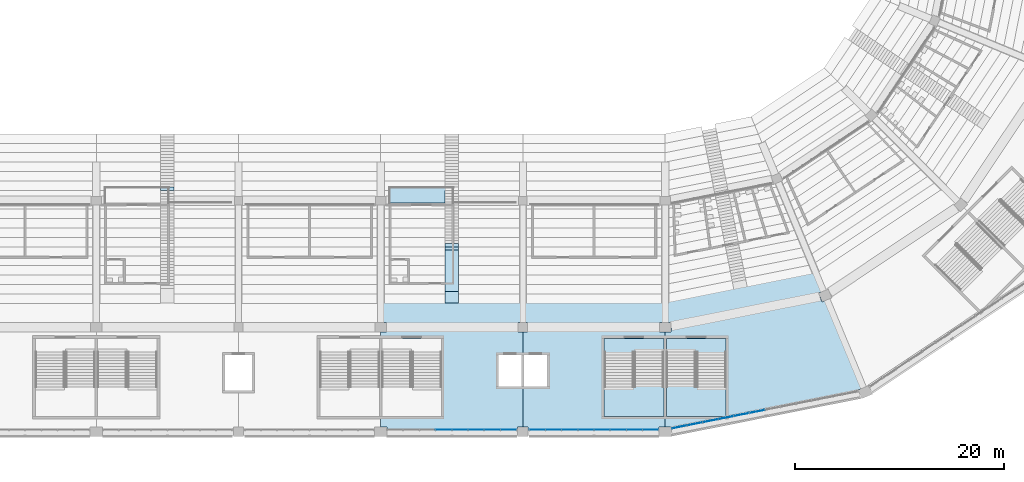
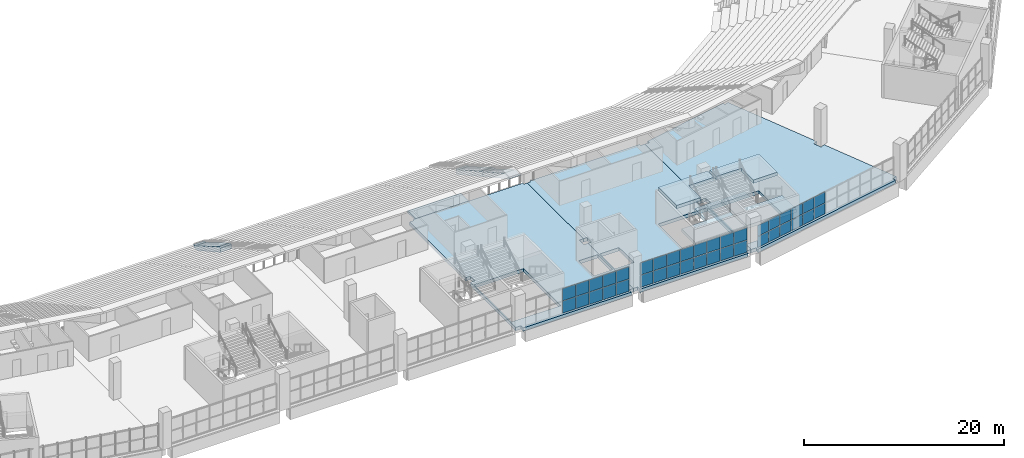
# One storey, part 66 of 249: 38 plates, 11 slabs, 5 elements without a shape of their own.
"""IFC4 building model written with IfcOpenShell, lengths in metres."""

import ifcopenshell
import ifcopenshell.guid

model = None  # the IFC model being written
_history = None  # IfcOwnerHistory: only IFC2X3 demands one
_inside = {}  # id of a spatial element -> (the spatial element, [elements in it])
_under = {}  # id of a project, library or spatial element -> (it, [spatial elements below it])
_declared = {}  # id of a project -> (the project, [libraries it declares])
_typed = {}  # id of a type object -> (the type object, [elements of that type])
_made_of = {}  # id of a material, layer set ... -> (it, [elements and type objects made of it])


def new_model(schema):
    """Start an empty IFC model of exactly this schema.

    Asked for "IFC4X3", IfcOpenShell would pick the latest addendum, in which some entities
    have other attributes; the version numbers below select the first issue.
    IFC2X3 requires an IfcOwnerHistory on every rooted entity: one is made here for all.
    """
    global model, _history
    if schema == "IFC4X3":
        model = ifcopenshell.file(schema_version=(4, 3, 0, 0))
    else:
        model = ifcopenshell.file(schema=schema)
    _inside.clear()
    _under.clear()
    _declared.clear()
    _typed.clear()
    _made_of.clear()
    _history = None
    if model.schema == "IFC2X3":
        org = make("IfcOrganization", Name="unknown")
        user = make(
            "IfcPersonAndOrganization",
            ThePerson=make("IfcPerson", FamilyName="unknown"),
            TheOrganization=org,
        )
        app = make(
            "IfcApplication",
            ApplicationDeveloper=org,
            Version="unknown",
            ApplicationFullName="unknown",
            ApplicationIdentifier="unknown",
        )
        _history = make(
            "IfcOwnerHistory",
            OwningUser=user,
            OwningApplication=app,
            ChangeAction="ADDED",
            CreationDate=0,
        )
    return model


def make(cls, **values):
    """One entity of the class cls with the attributes given. An attribute that is None is left unset."""
    return model.create_entity(
        cls, **{name: value for name, value in values.items() if value is not None}
    )


def rooted(cls, **values):
    """An entity with a GlobalId (a new one), such as an element, a storey or a relation."""
    return make(cls, GlobalId=ifcopenshell.guid.new(), OwnerHistory=_history, **values)


def si_unit(unit_type, name, prefix=None):
    """IfcSIUnit, for example si_unit("LENGTHUNIT", "METRE", prefix="MILLI")."""
    return make("IfcSIUnit", UnitType=unit_type, Prefix=prefix, Name=name)


def assignment(units):
    """IfcUnitAssignment: the units of a project."""
    return None if units is None else make("IfcUnitAssignment", Units=units)


def point(xyz):
    """IfcCartesianPoint."""
    return None if xyz is None else make("IfcCartesianPoint", Coordinates=xyz)


def direction(xyz):
    """IfcDirection."""
    return None if xyz is None else make("IfcDirection", DirectionRatios=xyz)


def frame(location, z_axis=None, x_axis=None):
    """IfcAxis2Placement3D, a coordinate frame: its origin and axes. An axis left out is left unset."""
    return make(
        "IfcAxis2Placement3D",
        Location=point(location),
        Axis=direction(z_axis),
        RefDirection=direction(x_axis),
    )


def frame_2d(location, x_axis=None):
    """IfcAxis2Placement2D, a coordinate frame in the plane: its origin and x axis."""
    return make(
        "IfcAxis2Placement2D", Location=point(location), RefDirection=direction(x_axis)
    )


def origin():
    """The frame at (0, 0, 0) with its axes left unset."""
    return frame((0.0, 0.0, 0.0))


def origin_2d():
    """The frame at (0, 0) in the plane with its x axis left unset."""
    return frame_2d((0.0, 0.0))


def place(relative_to, where):
    """IfcLocalPlacement: puts the frame where relative to a parent placement (None: the world)."""
    return make(
        "IfcLocalPlacement", PlacementRelTo=relative_to, RelativePlacement=where
    )


def context(
    kind, dimensions, precision=None, world=None, true_north=None, identifier=None
):
    """IfcGeometricRepresentationContext, for example the 3D "Model" context."""
    return make(
        "IfcGeometricRepresentationContext",
        ContextIdentifier=identifier,
        ContextType=kind,
        CoordinateSpaceDimension=dimensions,
        Precision=precision,
        WorldCoordinateSystem=world,
        TrueNorth=true_north,
    )


def subcontext(parent, identifier, kind, view, scale=None):
    """IfcGeometricRepresentationSubContext, for example "Body" below "Model"."""
    return make(
        "IfcGeometricRepresentationSubContext",
        ContextIdentifier=identifier,
        ContextType=kind,
        ParentContext=parent,
        TargetScale=scale,
        TargetView=view,
    )


def project(units=None, contexts=None):
    """IfcProject with its units and contexts."""
    return rooted(
        "IfcProject",
        Name="project",
        RepresentationContexts=contexts,
        UnitsInContext=assignment(units),
    )


def spatial(cls, under=None, at=None, **own):
    """A site, building, storey or space (cls), placed at a placement, below another one or the project."""
    s = rooted(cls, ObjectPlacement=at, **own)
    if under is not None:
        _under.setdefault(under.id(), (under, []))[1].append(s)
    return s


def polyline(points):
    """IfcPolyline through the points."""
    return make("IfcPolyline", Points=[point(p) for p in points])


def profile(cls, at=None, kind="AREA", **sizes):
    """A parametric profile (cls). Its sizes go by their IFC names, for example OverallWidth=200.0."""
    return make(cls, ProfileType=kind, Position=at, **sizes)


def rectangle(**sizes):
    """IfcRectangleProfileDef."""
    return profile("IfcRectangleProfileDef", **sizes)


def outline(outer, holes=None, kind="AREA"):
    """IfcArbitraryClosedProfileDef: a profile drawn as a closed curve; with holes, ...WithVoids."""
    if holes is None:
        return make("IfcArbitraryClosedProfileDef", ProfileType=kind, OuterCurve=outer)
    return make(
        "IfcArbitraryProfileDefWithVoids",
        ProfileType=kind,
        OuterCurve=outer,
        InnerCurves=holes,
    )


def extrude(swept, where, along, depth):
    """IfcExtrudedAreaSolid: the profile swept, set in the frame where, extruded along a direction by depth."""
    return make(
        "IfcExtrudedAreaSolid",
        SweptArea=swept,
        Position=where,
        ExtrudedDirection=direction(along),
        Depth=depth,
    )


def shape(context_of_items, identifier, shape_type, items):
    """IfcShapeRepresentation: the items that make up one representation, for example the "Body"."""
    return make(
        "IfcShapeRepresentation",
        ContextOfItems=context_of_items,
        RepresentationIdentifier=identifier,
        RepresentationType=shape_type,
        Items=items,
    )


def material(Name=None, Category=None):
    """IfcMaterial."""
    return make("IfcMaterial", Name=Name, Category=Category)


def layer(
    of_material, thickness, ventilated=None, Name=None, Category=None, Priority=None
):
    """IfcMaterialLayer: one layer of a wall or slab, of a material (None: an air gap)."""
    return make(
        "IfcMaterialLayer",
        Material=of_material,
        LayerThickness=thickness,
        IsVentilated=ventilated,
        Name=Name,
        Category=Category,
        Priority=Priority,
    )


def layer_set(layers, Name=None):
    """IfcMaterialLayerSet."""
    return make("IfcMaterialLayerSet", MaterialLayers=layers, LayerSetName=Name)


def made_of(thing, what):
    """Note that an element or type object is made of a material, layer set ...; save() writes the relation."""
    if what is not None:
        _made_of.setdefault(what.id(), (what, []))[1].append(thing)
    return thing


def type_object(cls, material=None, **own):
    """A type object (cls), such as IfcWallType, which elements share."""
    return made_of(rooted(cls, **own), material)


def element(
    cls,
    number,
    at=None,
    inside=None,
    cuts=None,
    type_object=None,
    material=None,
    context=None,
    identifier="Body",
    shape_type=None,
    held_by="IfcProductDefinitionShape",
    body=None,
    shapes=None,
    **own,
):
    """One element of the class cls, such as IfcWall. Its Tag is "e" and its number.

    at: its placement. inside: the storey or other place that contains it. cuts: it is an
    opening in that element (IfcRelVoidsElement). A single representation is given by context,
    identifier, shape_type and body (its items); several are given by shapes. held_by: the class
    of the entity that holds the representations. save() writes the other relations.
    """
    e = rooted(cls, Tag="e%d" % number, ObjectPlacement=at, **own)
    if body is not None:
        shapes = [shape(context, identifier, shape_type, body)]
    if shapes is not None:
        e.Representation = make(held_by, Representations=shapes)
    if inside is not None:
        _inside.setdefault(inside.id(), (inside, []))[1].append(e)
    if cuts is not None:
        rooted(
            "IfcRelVoidsElement", RelatingBuildingElement=cuts, RelatedOpeningElement=e
        )
    if type_object is not None:
        _typed.setdefault(type_object.id(), (type_object, []))[1].append(e)
    return made_of(e, material)


def aggregate(whole, parts):
    """IfcRelAggregates: a whole, such as a stair, and the parts it consists of."""
    return rooted("IfcRelAggregates", RelatingObject=whole, RelatedObjects=parts)


def save(model, path):
    """Write the relations noted so far, then the file.

    IfcRelAggregates (storeys below a building ...), IfcRelContainedInSpatialStructure (elements
    in a storey), IfcRelDefinesByType, IfcRelAssociatesMaterial and IfcRelDeclares: one each for
    every whole, place, type object, material and project.
    """
    for whole, parts in _under.values():
        aggregate(whole, parts)
    for where, things in _inside.values():
        rooted(
            "IfcRelContainedInSpatialStructure",
            RelatedElements=things,
            RelatingStructure=where,
        )
    for kind, things in _typed.values():
        rooted("IfcRelDefinesByType", RelatedObjects=things, RelatingType=kind)
    for what, things in _made_of.values():
        rooted("IfcRelAssociatesMaterial", RelatedObjects=things, RelatingMaterial=what)
    for by, libraries in _declared.values():
        rooted("IfcRelDeclares", RelatingContext=by, RelatedDefinitions=libraries)
    model.write(path)


model = new_model("IFC4")

# Units and contexts
model_context = context("Model", 3, precision=1e-05, world=origin(), true_north=direction((0.0, 1.0)))
body_context = subcontext(model_context, "Body", "Model", "MODEL_VIEW")
ifc_project = project(units=[si_unit("LENGTHUNIT", "METRE"), si_unit("AREAUNIT", "SQUARE_METRE"), si_unit("VOLUMEUNIT", "CUBIC_METRE"), si_unit("PLANEANGLEUNIT", "RADIAN"), si_unit("MASSUNIT", "GRAM", prefix="KILO")], contexts=[model_context])

# Site, building, storey
site_placement = place(None, origin())
site = spatial("IfcSite", under=ifc_project, at=site_placement, CompositionType="ELEMENT")
building_placement = place(site_placement, origin())
building = spatial("IfcBuilding", under=site, at=building_placement, Name="Ogive Plaza Stadium", CompositionType="ELEMENT")
storey_placement = place(building_placement, frame((0.0, 0.0, 13.5)))
storey = spatial("IfcBuildingStorey", under=building, at=storey_placement, Name="L03", CompositionType="ELEMENT", Elevation=13.5)

# Slabs
ifc_material_1 = material(Name="Concrete C40/50", Category="concrete")
ifc_layer_1 = layer(ifc_material_1, 0.75927734375)
ifc_layer_set_1 = layer_set([ifc_layer_1], Name="Concrete C40/50")
ifc_layer_2 = layer(ifc_material_1, 0.449951171875)
ifc_layer_set_2 = layer_set([ifc_layer_2], Name="Concrete C40/50")
slab_type_1 = type_object("IfcSlabType", Name="Aisle stair slab 1300", PredefinedType="USERDEFINED", material=ifc_layer_set_2)
slab_1_placement = place(storey_placement, frame((13.60009765625, -79.39990234375, -13.5), z_axis=(0.0, 0.0, 1.0), x_axis=(0.0, -1.0, 0.0)))
element("IfcSlab", 1, at=slab_1_placement, inside=storey, type_object=slab_type_1, material=ifc_layer_set_1, Name="Aisle stair SA13U slab 2", ObjectType="AISLE STAIR SLAB", PredefinedType="USERDEFINED", context=body_context, shape_type="SweptSolid", body=[
    extrude(outline(polyline([(0.0, 17.0), (0.2958984375, 17.0), (5.10009765625, 19.825927734375), (5.39990234375, 19.825927734375), (5.39990234375, 19.300048828125), (5.25, 19.216796875), (5.10009765625, 19.13330078125), (4.949951171875, 19.050048828125), (4.800048828125, 18.966796875), (4.64990234375, 18.88330078125), (4.5, 18.800048828125), (4.35009765625, 18.716796875), (4.199951171875, 18.63330078125), (4.050048828125, 18.550048828125), (3.89990234375, 18.466796875), (3.75, 18.38330078125), (3.60009765625, 18.300048828125), (3.449951171875, 18.216796875), (3.300048828125, 18.13330078125), (3.14990234375, 18.050048828125), (3.0, 17.966796875), (2.85009765625, 17.88330078125), (2.699951171875, 17.800048828125), (2.550048828125, 17.716796875), (2.39990234375, 17.63330078125), (2.25, 17.550048828125), (2.10009765625, 17.466796875), (1.949951171875, 17.38330078125), (1.800048828125, 17.300048828125), (1.64990234375, 17.216796875), (1.5, 17.13330078125), (1.35009765625, 17.050048828125), (1.199951171875, 16.966796875), (1.050048828125, 16.88330078125), (0.89990234375, 16.800048828125), (0.75, 16.716796875), (0.60009765625, 16.63330078125), (0.449951171875, 16.550048828125), (0.300048828125, 16.466796875), (0.14990234375, 16.38330078125), (0.0, 16.300048828125), (0.0, 17.0)])), frame((0.0, 0.64990234375, 0.0), z_axis=(0.0, -1.0, 0.0), x_axis=(1.0, 0.0, 0.0)), (0.0, 0.0, 1.0), 1.300048828125),
])
ifc_layer_3 = layer(ifc_material_1, 1.08056640625)
ifc_layer_set_3 = layer_set([ifc_layer_3], Name="Concrete C40/50")
slab_2_placement = place(storey_placement, frame((13.60009765625, -84.800048828125, -13.5), z_axis=(0.0, 0.0, 1.0), x_axis=(0.0, -1.0, 0.0)))
element("IfcSlab", 2, at=slab_2_placement, inside=storey, type_object=slab_type_1, material=ifc_layer_set_3, Name="Aisle stair SA13U slab 3", ObjectType="AISLE STAIR SLAB", PredefinedType="USERDEFINED", context=body_context, shape_type="SweptSolid", body=[
    extrude(outline(polyline([(0.0, 20.0), (0.2958984375, 20.0), (4.25, 22.325927734375), (5.35009765625, 22.325927734375), (5.35009765625, 22.272216796875), (5.25, 22.216796875), (5.10009765625, 22.13330078125), (4.949951171875, 22.050048828125), (4.800048828125, 21.966796875), (4.64990234375, 21.88330078125), (4.5, 21.800048828125), (4.35009765625, 21.716796875), (4.199951171875, 21.63330078125), (4.050048828125, 21.550048828125), (3.89990234375, 21.466796875), (3.75, 21.38330078125), (3.60009765625, 21.300048828125), (3.449951171875, 21.216796875), (3.300048828125, 21.13330078125), (3.14990234375, 21.050048828125), (3.0, 20.966796875), (2.85009765625, 20.88330078125), (2.699951171875, 20.800048828125), (2.550048828125, 20.716796875), (2.39990234375, 20.63330078125), (2.25, 20.550048828125), (2.10009765625, 20.466796875), (1.949951171875, 20.38330078125), (1.800048828125, 20.300048828125), (1.64990234375, 20.216796875), (1.5, 20.13330078125), (1.35009765625, 20.050048828125), (1.199951171875, 19.966796875), (1.050048828125, 19.88330078125), (0.89990234375, 19.800048828125), (0.75, 19.716796875), (0.60009765625, 19.63330078125), (0.449951171875, 19.550048828125), (0.300048828125, 19.466796875), (0.14990234375, 19.38330078125), (0.0, 19.300048828125), (0.0, 20.0)])), frame((0.0, 0.64990234375, 0.0), z_axis=(0.0, -1.0, 0.0), x_axis=(1.0, 0.0, 0.0)), (0.0, 0.0, 1.0), 1.300048828125),
])
ifc_layer_4 = layer(ifc_material_1, 0.73486328125)
ifc_layer_set_4 = layer_set([ifc_layer_4], Name="Concrete C40/50")
slab_3_placement = place(storey_placement, frame((-13.60009765625, -74.0, -13.5), z_axis=(0.0, 0.0, 1.0), x_axis=(0.0, -1.0, 0.0)))
element("IfcSlab", 3, at=slab_3_placement, inside=storey, type_object=slab_type_1, material=ifc_layer_set_4, Name="Aisle stair SA15U slab 1", ObjectType="AISLE STAIR SLAB", PredefinedType="USERDEFINED", context=body_context, shape_type="SweptSolid", body=[
    extrude(outline(polyline([(0.0, 14.0), (0.2958984375, 14.0), (5.10009765625, 16.825927734375), (5.39990234375, 16.825927734375), (5.39990234375, 16.300048828125), (5.359375, 16.27734375), (5.209228515625, 16.194091796875), (5.059326171875, 16.110595703125), (4.9091796875, 16.02734375), (4.75927734375, 15.944091796875), (4.609375, 15.860595703125), (4.459228515625, 15.77734375), (4.309326171875, 15.694091796875), (4.1591796875, 15.610595703125), (4.00927734375, 15.52734375), (3.859375, 15.444091796875), (3.709228515625, 15.360595703125), (3.559326171875, 15.27734375), (3.4091796875, 15.194091796875), (3.25927734375, 15.110595703125), (3.109375, 15.02734375), (2.959228515625, 14.944091796875), (2.809326171875, 14.860595703125), (2.6591796875, 14.77734375), (2.50927734375, 14.694091796875), (2.359375, 14.610595703125), (2.209228515625, 14.52734375), (2.059326171875, 14.444091796875), (1.9091796875, 14.360595703125), (1.75927734375, 14.27734375), (1.609375, 14.194091796875), (1.459228515625, 14.110595703125), (1.309326171875, 14.02734375), (1.1591796875, 13.944091796875), (1.00927734375, 13.860595703125), (0.859375, 13.77734375), (0.709228515625, 13.75), (0.559326171875, 13.75), (0.4091796875, 13.75), (0.25927734375, 13.75), (0.109375, 13.75), (0.0, 14.0)])), frame((0.0, 0.64990234375, 0.0), z_axis=(0.0, -1.0, 0.0), x_axis=(1.0, 0.0, 0.0)), (0.0, 0.0, 1.0), 1.300048828125),
])
ifc_material_2 = material(Name="Concrete C40/50", Category="concrete")
ifc_layer_5 = layer(ifc_material_2, 0.25)
ifc_layer_set_5 = layer_set([ifc_layer_5], Name="Concrete C40/50")
slab_type_2 = type_object("IfcSlabType", Name="Balcony slab 250", PredefinedType="FLOOR", material=ifc_layer_set_5)
slab_4_placement = place(storey_placement, frame((0.0, 0.0, -0.25)))
element("IfcSlab", 4, at=slab_4_placement, inside=storey, type_object=slab_type_2, Name="Suite terrace slab B13", PredefinedType="FLOOR", context=body_context, shape_type="SweptSolid", body=[
    extrude(outline(polyline([(7.625, -79.0), (7.625, -80.60009765625), (13.77490234375, -80.60009765625), (13.77490234375, -79.0), (7.625, -79.0)])), origin(), (0.0, 0.0, 1.0), 0.25),
])

# Curtain wall, plates
ifc_material_3 = material(Name="Bronze-anodised aluminium with laminated glass", Category="aluminium")
curtain_wall_type = type_object("IfcCurtainWallType", Name="Lancet curtain wall", PredefinedType="NOTDEFINED", material=ifc_material_3)
curtain_wall_1_placement = place(storey_placement, origin())
curtain_wall_1 = element("IfcCurtainWall", 5, at=curtain_wall_1_placement, inside=storey, type_object=curtain_wall_type, Name="CURTAIN WALL B11 L03", PredefinedType="NOTDEFINED")
ifc_material_4 = material(Name="Laminated glass", Category="glass")
ifc_layer_6 = layer(ifc_material_4, 0.028076171875)
ifc_layer_set_6 = layer_set([ifc_layer_6], Name="Laminated glass panel 28")
plate_type = type_object("IfcPlateType", Name="Laminated glass panel 28", PredefinedType="CURTAIN_PANEL", material=ifc_layer_set_6)
plate_1_placement = place(storey_placement, frame((42.78564453125, -100.548583984375, 0.0498046875), z_axis=(0.0, 0.0, 1.0), x_axis=(-0.980785280403, -0.195090322016, 0.0)))
plate_1 = element("IfcPlate", 6, at=plate_1_placement, type_object=plate_type, Name="CW-B11-L03 panel 7.1", PredefinedType="CURTAIN_PANEL", context=body_context, shape_type="SweptSolid", body=[
    extrude(rectangle(XDim=1.4638671875, YDim=0.028076171875, at=origin_2d()), origin(), (0.0, 0.0, 1.0), 1.320068359375),
])
plate_2_placement = place(storey_placement, frame((42.78564453125, -100.548583984375, 1.419921875), z_axis=(0.0, 0.0, 1.0), x_axis=(-0.980785280403, -0.195090322016, 0.0)))
plate_2 = element("IfcPlate", 7, at=plate_2_placement, type_object=plate_type, Name="CW-B11-L03 panel 7.2", PredefinedType="CURTAIN_PANEL", context=body_context, shape_type="SweptSolid", body=[
    extrude(rectangle(XDim=1.4638671875, YDim=0.028076171875, at=origin_2d()), origin(), (0.0, 0.0, 1.0), 1.320068359375),
])
plate_3_placement = place(storey_placement, frame((41.301025390625, -100.84375, 0.0498046875), z_axis=(0.0, 0.0, 1.0), x_axis=(-0.980785280403, -0.195090322016, 0.0)))
plate_3 = element("IfcPlate", 8, at=plate_3_placement, type_object=plate_type, Name="CW-B11-L03 panel 8.1", PredefinedType="CURTAIN_PANEL", context=body_context, shape_type="SweptSolid", body=[
    extrude(rectangle(XDim=1.4638671875, YDim=0.028076171875, at=origin_2d()), origin(), (0.0, 0.0, 1.0), 1.320068359375),
])
plate_4_placement = place(storey_placement, frame((41.301025390625, -100.84375, 1.419921875), z_axis=(0.0, 0.0, 1.0), x_axis=(-0.980785280403, -0.195090322016, 0.0)))
plate_4 = element("IfcPlate", 9, at=plate_4_placement, type_object=plate_type, Name="CW-B11-L03 panel 8.2", PredefinedType="CURTAIN_PANEL", context=body_context, shape_type="SweptSolid", body=[
    extrude(rectangle(XDim=1.4638671875, YDim=0.028076171875, at=origin_2d()), origin(), (0.0, 0.0, 1.0), 1.320068359375),
])
plate_5_placement = place(storey_placement, frame((39.816162109375, -101.13916015625, 0.0498046875), z_axis=(0.0, 0.0, 1.0), x_axis=(-0.980785280403, -0.195090322016, 0.0)))
plate_5 = element("IfcPlate", 10, at=plate_5_placement, type_object=plate_type, Name="CW-B11-L03 panel 9.1", PredefinedType="CURTAIN_PANEL", context=body_context, shape_type="SweptSolid", body=[
    extrude(rectangle(XDim=1.4638671875, YDim=0.028076171875, at=origin_2d()), origin(), (0.0, 0.0, 1.0), 1.320068359375),
])
plate_6_placement = place(storey_placement, frame((39.816162109375, -101.13916015625, 1.419921875), z_axis=(0.0, 0.0, 1.0), x_axis=(-0.980785280403, -0.195090322016, 0.0)))
plate_6 = element("IfcPlate", 11, at=plate_6_placement, type_object=plate_type, Name="CW-B11-L03 panel 9.2", PredefinedType="CURTAIN_PANEL", context=body_context, shape_type="SweptSolid", body=[
    extrude(rectangle(XDim=1.4638671875, YDim=0.028076171875, at=origin_2d()), origin(), (0.0, 0.0, 1.0), 1.320068359375),
])
plate_7_placement = place(storey_placement, frame((38.331298828125, -101.4345703125, 0.0498046875), z_axis=(0.0, 0.0, 1.0), x_axis=(-0.980785280403, -0.195090322016, 0.0)))
plate_7 = element("IfcPlate", 12, at=plate_7_placement, type_object=plate_type, Name="CW-B11-L03 panel 10.1", PredefinedType="CURTAIN_PANEL", context=body_context, shape_type="SweptSolid", body=[
    extrude(rectangle(XDim=1.4638671875, YDim=0.028076171875, at=origin_2d()), origin(), (0.0, 0.0, 1.0), 1.320068359375),
])
plate_8_placement = place(storey_placement, frame((38.331298828125, -101.4345703125, 1.419921875), z_axis=(0.0, 0.0, 1.0), x_axis=(-0.980785280403, -0.195090322016, 0.0)))
plate_8 = element("IfcPlate", 13, at=plate_8_placement, type_object=plate_type, Name="CW-B11-L03 panel 10.2", PredefinedType="CURTAIN_PANEL", context=body_context, shape_type="SweptSolid", body=[
    extrude(rectangle(XDim=1.4638671875, YDim=0.028076171875, at=origin_2d()), origin(), (0.0, 0.0, 1.0), 1.320068359375),
])
plate_9_placement = place(storey_placement, frame((36.8466796875, -101.729736328125, 0.0498046875), z_axis=(0.0, 0.0, 1.0), x_axis=(-0.980785280403, -0.195090322016, 0.0)))
plate_9 = element("IfcPlate", 14, at=plate_9_placement, type_object=plate_type, Name="CW-B11-L03 panel 11.1", PredefinedType="CURTAIN_PANEL", context=body_context, shape_type="SweptSolid", body=[
    extrude(rectangle(XDim=1.4638671875, YDim=0.028076171875, at=origin_2d()), origin(), (0.0, 0.0, 1.0), 1.320068359375),
])
plate_10_placement = place(storey_placement, frame((36.8466796875, -101.729736328125, 1.419921875), z_axis=(0.0, 0.0, 1.0), x_axis=(-0.980785280403, -0.195090322016, 0.0)))
plate_10 = element("IfcPlate", 15, at=plate_10_placement, type_object=plate_type, Name="CW-B11-L03 panel 11.2", PredefinedType="CURTAIN_PANEL", context=body_context, shape_type="SweptSolid", body=[
    extrude(rectangle(XDim=1.4638671875, YDim=0.028076171875, at=origin_2d()), origin(), (0.0, 0.0, 1.0), 1.320068359375),
])
plate_11_placement = place(storey_placement, frame((35.374267578125, -102.022705078125, 0.0498046875), z_axis=(0.0, 0.0, 1.0), x_axis=(-0.980785280403, -0.195090322016, 0.0)))
plate_11 = element("IfcPlate", 16, at=plate_11_placement, type_object=plate_type, Name="CW-B11-L03 panel 12.1", PredefinedType="CURTAIN_PANEL", context=body_context, shape_type="SweptSolid", body=[
    extrude(rectangle(XDim=1.43896484375, YDim=0.028076171875, at=origin_2d()), origin(), (0.0, 0.0, 1.0), 1.320068359375),
])
plate_12_placement = place(storey_placement, frame((35.374267578125, -102.022705078125, 1.419921875), z_axis=(0.0, 0.0, 1.0), x_axis=(-0.980785280403, -0.195090322016, 0.0)))
plate_12 = element("IfcPlate", 17, at=plate_12_placement, type_object=plate_type, Name="CW-B11-L03 panel 12.2", PredefinedType="CURTAIN_PANEL", context=body_context, shape_type="SweptSolid", body=[
    extrude(rectangle(XDim=1.43896484375, YDim=0.028076171875, at=origin_2d()), origin(), (0.0, 0.0, 1.0), 1.320068359375),
])
aggregate(curtain_wall_1, [plate_1, plate_2, plate_3, plate_4, plate_5, plate_6, plate_7, plate_8, plate_9, plate_10, plate_11, plate_12])

curtain_wall_2_placement = place(storey_placement, origin())
curtain_wall_2 = element("IfcCurtainWall", 18, at=curtain_wall_2_placement, inside=storey, type_object=curtain_wall_type, Name="CURTAIN WALL B12 L03", PredefinedType="NOTDEFINED")
plate_13_placement = place(storey_placement, frame((32.612548828125, -102.300048828125, 0.0498046875), z_axis=(0.0, 0.0, 1.0), x_axis=(-1.0, 0.0, 0.0)))
plate_13 = element("IfcPlate", 19, at=plate_13_placement, type_object=plate_type, Name="CW-B12-L03 panel 1.1", PredefinedType="CURTAIN_PANEL", context=body_context, shape_type="SweptSolid", body=[
    extrude(rectangle(XDim=1.47509765625, YDim=0.028076171875, at=origin_2d()), origin(), (0.0, 0.0, 1.0), 1.469970703125),
])
plate_14_placement = place(storey_placement, frame((32.612548828125, -102.300048828125, 1.56982421875), z_axis=(0.0, 0.0, 1.0), x_axis=(-1.0, 0.0, 0.0)))
plate_14 = element("IfcPlate", 20, at=plate_14_placement, type_object=plate_type, Name="CW-B12-L03 panel 1.2", PredefinedType="CURTAIN_PANEL", context=body_context, shape_type="SweptSolid", body=[
    extrude(rectangle(XDim=1.47509765625, YDim=0.028076171875, at=origin_2d()), origin(), (0.0, 0.0, 1.0), 1.469970703125),
])
plate_15_placement = place(storey_placement, frame((31.074951171875, -102.300048828125, 0.0498046875), z_axis=(0.0, 0.0, 1.0), x_axis=(-1.0, 0.0, 0.0)))
plate_15 = element("IfcPlate", 21, at=plate_15_placement, type_object=plate_type, Name="CW-B12-L03 panel 2.1", PredefinedType="CURTAIN_PANEL", context=body_context, shape_type="SweptSolid", body=[
    extrude(rectangle(XDim=1.5, YDim=0.028076171875, at=origin_2d()), origin(), (0.0, 0.0, 1.0), 1.469970703125),
])
plate_16_placement = place(storey_placement, frame((31.074951171875, -102.300048828125, 1.56982421875), z_axis=(0.0, 0.0, 1.0), x_axis=(-1.0, 0.0, 0.0)))
plate_16 = element("IfcPlate", 22, at=plate_16_placement, type_object=plate_type, Name="CW-B12-L03 panel 2.2", PredefinedType="CURTAIN_PANEL", context=body_context, shape_type="SweptSolid", body=[
    extrude(rectangle(XDim=1.5, YDim=0.028076171875, at=origin_2d()), origin(), (0.0, 0.0, 1.0), 1.469970703125),
])
plate_17_placement = place(storey_placement, frame((29.52490234375, -102.300048828125, 0.0498046875), z_axis=(0.0, 0.0, 1.0), x_axis=(-1.0, 0.0, 0.0)))
plate_17 = element("IfcPlate", 23, at=plate_17_placement, type_object=plate_type, Name="CW-B12-L03 panel 3.1", PredefinedType="CURTAIN_PANEL", context=body_context, shape_type="SweptSolid", body=[
    extrude(rectangle(XDim=1.5, YDim=0.028076171875, at=origin_2d()), origin(), (0.0, 0.0, 1.0), 1.469970703125),
])
plate_18_placement = place(storey_placement, frame((29.52490234375, -102.300048828125, 1.56982421875), z_axis=(0.0, 0.0, 1.0), x_axis=(-1.0, 0.0, 0.0)))
plate_18 = element("IfcPlate", 24, at=plate_18_placement, type_object=plate_type, Name="CW-B12-L03 panel 3.2", PredefinedType="CURTAIN_PANEL", context=body_context, shape_type="SweptSolid", body=[
    extrude(rectangle(XDim=1.5, YDim=0.028076171875, at=origin_2d()), origin(), (0.0, 0.0, 1.0), 1.469970703125),
])
plate_19_placement = place(storey_placement, frame((27.97509765625, -102.300048828125, 0.0498046875), z_axis=(0.0, 0.0, 1.0), x_axis=(-1.0, 0.0, 0.0)))
plate_19 = element("IfcPlate", 25, at=plate_19_placement, type_object=plate_type, Name="CW-B12-L03 panel 4.1", PredefinedType="CURTAIN_PANEL", context=body_context, shape_type="SweptSolid", body=[
    extrude(rectangle(XDim=1.5, YDim=0.028076171875, at=origin_2d()), origin(), (0.0, 0.0, 1.0), 1.469970703125),
])
plate_20_placement = place(storey_placement, frame((27.97509765625, -102.300048828125, 1.56982421875), z_axis=(0.0, 0.0, 1.0), x_axis=(-1.0, 0.0, 0.0)))
plate_20 = element("IfcPlate", 26, at=plate_20_placement, type_object=plate_type, Name="CW-B12-L03 panel 4.2", PredefinedType="CURTAIN_PANEL", context=body_context, shape_type="SweptSolid", body=[
    extrude(rectangle(XDim=1.5, YDim=0.028076171875, at=origin_2d()), origin(), (0.0, 0.0, 1.0), 1.469970703125),
])
plate_21_placement = place(storey_placement, frame((26.425048828125, -102.300048828125, 0.0498046875), z_axis=(0.0, 0.0, 1.0), x_axis=(-1.0, 0.0, 0.0)))
plate_21 = element("IfcPlate", 27, at=plate_21_placement, type_object=plate_type, Name="CW-B12-L03 panel 5.1", PredefinedType="CURTAIN_PANEL", context=body_context, shape_type="SweptSolid", body=[
    extrude(rectangle(XDim=1.5, YDim=0.028076171875, at=origin_2d()), origin(), (0.0, 0.0, 1.0), 1.469970703125),
])
plate_22_placement = place(storey_placement, frame((26.425048828125, -102.300048828125, 1.56982421875), z_axis=(0.0, 0.0, 1.0), x_axis=(-1.0, 0.0, 0.0)))
plate_22 = element("IfcPlate", 28, at=plate_22_placement, type_object=plate_type, Name="CW-B12-L03 panel 5.2", PredefinedType="CURTAIN_PANEL", context=body_context, shape_type="SweptSolid", body=[
    extrude(rectangle(XDim=1.5, YDim=0.028076171875, at=origin_2d()), origin(), (0.0, 0.0, 1.0), 1.469970703125),
])
plate_23_placement = place(storey_placement, frame((24.875, -102.300048828125, 0.0498046875), z_axis=(0.0, 0.0, 1.0), x_axis=(-1.0, 0.0, 0.0)))
plate_23 = element("IfcPlate", 29, at=plate_23_placement, type_object=plate_type, Name="CW-B12-L03 panel 6.1", PredefinedType="CURTAIN_PANEL", context=body_context, shape_type="SweptSolid", body=[
    extrude(rectangle(XDim=1.5, YDim=0.028076171875, at=origin_2d()), origin(), (0.0, 0.0, 1.0), 1.469970703125),
])
plate_24_placement = place(storey_placement, frame((24.875, -102.300048828125, 1.56982421875), z_axis=(0.0, 0.0, 1.0), x_axis=(-1.0, 0.0, 0.0)))
plate_24 = element("IfcPlate", 30, at=plate_24_placement, type_object=plate_type, Name="CW-B12-L03 panel 6.2", PredefinedType="CURTAIN_PANEL", context=body_context, shape_type="SweptSolid", body=[
    extrude(rectangle(XDim=1.5, YDim=0.028076171875, at=origin_2d()), origin(), (0.0, 0.0, 1.0), 1.469970703125),
])
plate_25_placement = place(storey_placement, frame((23.324951171875, -102.300048828125, 0.0498046875), z_axis=(0.0, 0.0, 1.0), x_axis=(-1.0, 0.0, 0.0)))
plate_25 = element("IfcPlate", 31, at=plate_25_placement, type_object=plate_type, Name="CW-B12-L03 panel 7.1", PredefinedType="CURTAIN_PANEL", context=body_context, shape_type="SweptSolid", body=[
    extrude(rectangle(XDim=1.5, YDim=0.028076171875, at=origin_2d()), origin(), (0.0, 0.0, 1.0), 1.469970703125),
])
plate_26_placement = place(storey_placement, frame((23.324951171875, -102.300048828125, 1.56982421875), z_axis=(0.0, 0.0, 1.0), x_axis=(-1.0, 0.0, 0.0)))
plate_26 = element("IfcPlate", 32, at=plate_26_placement, type_object=plate_type, Name="CW-B12-L03 panel 7.2", PredefinedType="CURTAIN_PANEL", context=body_context, shape_type="SweptSolid", body=[
    extrude(rectangle(XDim=1.5, YDim=0.028076171875, at=origin_2d()), origin(), (0.0, 0.0, 1.0), 1.469970703125),
])
plate_27_placement = place(storey_placement, frame((21.78759765625, -102.300048828125, 0.0498046875), z_axis=(0.0, 0.0, 1.0), x_axis=(-1.0, 0.0, 0.0)))
plate_27 = element("IfcPlate", 33, at=plate_27_placement, type_object=plate_type, Name="CW-B12-L03 panel 8.1", PredefinedType="CURTAIN_PANEL", context=body_context, shape_type="SweptSolid", body=[
    extrude(rectangle(XDim=1.47509765625, YDim=0.028076171875, at=origin_2d()), origin(), (0.0, 0.0, 1.0), 1.469970703125),
])
plate_28_placement = place(storey_placement, frame((21.78759765625, -102.300048828125, 1.56982421875), z_axis=(0.0, 0.0, 1.0), x_axis=(-1.0, 0.0, 0.0)))
plate_28 = element("IfcPlate", 34, at=plate_28_placement, type_object=plate_type, Name="CW-B12-L03 panel 8.2", PredefinedType="CURTAIN_PANEL", context=body_context, shape_type="SweptSolid", body=[
    extrude(rectangle(XDim=1.47509765625, YDim=0.028076171875, at=origin_2d()), origin(), (0.0, 0.0, 1.0), 1.469970703125),
])
aggregate(curtain_wall_2, [plate_13, plate_14, plate_15, plate_16, plate_17, plate_18, plate_19, plate_20, plate_21, plate_22, plate_23, plate_24, plate_25, plate_26, plate_27, plate_28])

curtain_wall_3_placement = place(storey_placement, origin())
curtain_wall_3 = element("IfcCurtainWall", 35, at=curtain_wall_3_placement, inside=storey, type_object=curtain_wall_type, Name="CURTAIN WALL B13 L03", PredefinedType="NOTDEFINED")
plate_29_placement = place(storey_placement, frame((19.012451171875, -102.300048828125, 0.0498046875), z_axis=(0.0, 0.0, 1.0), x_axis=(-1.0, 0.0, 0.0)))
plate_29 = element("IfcPlate", 36, at=plate_29_placement, type_object=plate_type, Name="CW-B13-L03 panel 1.1", PredefinedType="CURTAIN_PANEL", context=body_context, shape_type="SweptSolid", body=[
    extrude(rectangle(XDim=1.47509765625, YDim=0.028076171875, at=origin_2d()), origin(), (0.0, 0.0, 1.0), 1.469970703125),
])
plate_30_placement = place(storey_placement, frame((19.012451171875, -102.300048828125, 1.56982421875), z_axis=(0.0, 0.0, 1.0), x_axis=(-1.0, 0.0, 0.0)))
plate_30 = element("IfcPlate", 37, at=plate_30_placement, type_object=plate_type, Name="CW-B13-L03 panel 1.2", PredefinedType="CURTAIN_PANEL", context=body_context, shape_type="SweptSolid", body=[
    extrude(rectangle(XDim=1.47509765625, YDim=0.028076171875, at=origin_2d()), origin(), (0.0, 0.0, 1.0), 1.469970703125),
])
plate_31_placement = place(storey_placement, frame((17.47509765625, -102.300048828125, 0.0498046875), z_axis=(0.0, 0.0, 1.0), x_axis=(-1.0, 0.0, 0.0)))
plate_31 = element("IfcPlate", 38, at=plate_31_placement, type_object=plate_type, Name="CW-B13-L03 panel 2.1", PredefinedType="CURTAIN_PANEL", context=body_context, shape_type="SweptSolid", body=[
    extrude(rectangle(XDim=1.5, YDim=0.028076171875, at=origin_2d()), origin(), (0.0, 0.0, 1.0), 1.469970703125),
])
plate_32_placement = place(storey_placement, frame((17.47509765625, -102.300048828125, 1.56982421875), z_axis=(0.0, 0.0, 1.0), x_axis=(-1.0, 0.0, 0.0)))
plate_32 = element("IfcPlate", 39, at=plate_32_placement, type_object=plate_type, Name="CW-B13-L03 panel 2.2", PredefinedType="CURTAIN_PANEL", context=body_context, shape_type="SweptSolid", body=[
    extrude(rectangle(XDim=1.5, YDim=0.028076171875, at=origin_2d()), origin(), (0.0, 0.0, 1.0), 1.469970703125),
])
plate_33_placement = place(storey_placement, frame((15.925048828125, -102.300048828125, 0.0498046875), z_axis=(0.0, 0.0, 1.0), x_axis=(-1.0, 0.0, 0.0)))
plate_33 = element("IfcPlate", 40, at=plate_33_placement, type_object=plate_type, Name="CW-B13-L03 panel 3.1", PredefinedType="CURTAIN_PANEL", context=body_context, shape_type="SweptSolid", body=[
    extrude(rectangle(XDim=1.5, YDim=0.028076171875, at=origin_2d()), origin(), (0.0, 0.0, 1.0), 1.469970703125),
])
plate_34_placement = place(storey_placement, frame((15.925048828125, -102.300048828125, 1.56982421875), z_axis=(0.0, 0.0, 1.0), x_axis=(-1.0, 0.0, 0.0)))
plate_34 = element("IfcPlate", 41, at=plate_34_placement, type_object=plate_type, Name="CW-B13-L03 panel 3.2", PredefinedType="CURTAIN_PANEL", context=body_context, shape_type="SweptSolid", body=[
    extrude(rectangle(XDim=1.5, YDim=0.028076171875, at=origin_2d()), origin(), (0.0, 0.0, 1.0), 1.469970703125),
])
plate_35_placement = place(storey_placement, frame((14.375, -102.300048828125, 0.0498046875), z_axis=(0.0, 0.0, 1.0), x_axis=(-1.0, 0.0, 0.0)))
plate_35 = element("IfcPlate", 42, at=plate_35_placement, type_object=plate_type, Name="CW-B13-L03 panel 4.1", PredefinedType="CURTAIN_PANEL", context=body_context, shape_type="SweptSolid", body=[
    extrude(rectangle(XDim=1.5, YDim=0.028076171875, at=origin_2d()), origin(), (0.0, 0.0, 1.0), 1.469970703125),
])
plate_36_placement = place(storey_placement, frame((14.375, -102.300048828125, 1.56982421875), z_axis=(0.0, 0.0, 1.0), x_axis=(-1.0, 0.0, 0.0)))
plate_36 = element("IfcPlate", 43, at=plate_36_placement, type_object=plate_type, Name="CW-B13-L03 panel 4.2", PredefinedType="CURTAIN_PANEL", context=body_context, shape_type="SweptSolid", body=[
    extrude(rectangle(XDim=1.5, YDim=0.028076171875, at=origin_2d()), origin(), (0.0, 0.0, 1.0), 1.469970703125),
])
plate_37_placement = place(storey_placement, frame((12.824951171875, -102.300048828125, 0.0498046875), z_axis=(0.0, 0.0, 1.0), x_axis=(-1.0, 0.0, 0.0)))
plate_37 = element("IfcPlate", 44, at=plate_37_placement, type_object=plate_type, Name="CW-B13-L03 panel 5.1", PredefinedType="CURTAIN_PANEL", context=body_context, shape_type="SweptSolid", body=[
    extrude(rectangle(XDim=1.5, YDim=0.028076171875, at=origin_2d()), origin(), (0.0, 0.0, 1.0), 1.469970703125),
])
plate_38_placement = place(storey_placement, frame((12.824951171875, -102.300048828125, 1.56982421875), z_axis=(0.0, 0.0, 1.0), x_axis=(-1.0, 0.0, 0.0)))
plate_38 = element("IfcPlate", 45, at=plate_38_placement, type_object=plate_type, Name="CW-B13-L03 panel 5.2", PredefinedType="CURTAIN_PANEL", context=body_context, shape_type="SweptSolid", body=[
    extrude(rectangle(XDim=1.5, YDim=0.028076171875, at=origin_2d()), origin(), (0.0, 0.0, 1.0), 1.469970703125),
])
aggregate(curtain_wall_3, [plate_29, plate_30, plate_31, plate_32, plate_33, plate_34, plate_35, plate_36, plate_37, plate_38])

# Slabs
ifc_material_5 = material(Name="Concrete C40/50", Category="concrete")
ifc_layer_7 = layer(ifc_material_5, 0.409912109375)
ifc_layer_set_7 = layer_set([ifc_layer_7], Name="Concrete C40/50")
slab_type_3 = type_object("IfcSlabType", Name="RC floor slab 410", PredefinedType="FLOOR", material=ifc_layer_set_7)
slab_5_placement = place(storey_placement, frame((0.0, 0.0, -0.409912109375)))
element("IfcSlab", 46, at=slab_5_placement, inside=storey, type_object=slab_type_3, Name="Floor slab L03 B11", PredefinedType="FLOOR", context=body_context, shape_type="SweptSolid", body=[
    extrude(outline(polyline([(34.0, -92.050048828125), (34.550048828125, -92.050048828125), (34.550048828125, -92.949951171875), (34.0, -92.949951171875), (34.0, -102.050048828125), (34.60009765625, -102.050048828125), (34.60009765625, -102.380615234375), (52.584228515625, -98.803466796875), (52.453857421875, -98.48876953125), (52.9619140625, -98.2783203125), (49.4794921875, -89.870849609375), (49.017578125, -90.062255859375), (48.673095703125, -89.230712890625), (49.135009765625, -89.03955078125), (44.829833984375, -78.645751953125), (44.414306640625, -78.818115234375), (44.303466796875, -78.550537109375), (34.5, -80.50048828125), (34.5, -80.800048828125), (34.0, -80.800048828125), (34.0, -92.050048828125)]), holes=[polyline([(39.824951171875, -93.550048828125), (34.125, -93.550048828125), (34.125, -101.010009765625), (39.824951171875, -101.010009765625), (39.824951171875, -93.550048828125)])]), origin(), (0.0, 0.0, 1.0), 0.409912109375),
])
slab_6_placement = place(storey_placement, frame((0.0, 0.0, -0.409912109375)))
element("IfcSlab", 47, at=slab_6_placement, inside=storey, type_object=slab_type_3, Name="Floor slab L03 B12", PredefinedType="FLOOR", context=body_context, shape_type="SweptSolid", body=[
    extrude(outline(polyline([(20.39990234375, -92.050048828125), (20.85009765625, -92.050048828125), (20.85009765625, -92.949951171875), (20.39990234375, -92.949951171875), (20.39990234375, -102.050048828125), (20.89990234375, -102.050048828125), (20.89990234375, -102.5), (33.39990234375, -102.5), (33.39990234375, -102.050048828125), (34.0, -102.050048828125), (34.0, -92.949951171875), (33.449951171875, -92.949951171875), (33.449951171875, -92.050048828125), (34.0, -92.050048828125), (34.0, -80.800048828125), (33.5, -80.800048828125), (33.5, -80.60009765625), (20.800048828125, -80.60009765625), (20.800048828125, -80.800048828125), (20.39990234375, -80.800048828125), (20.39990234375, -92.050048828125)]), holes=[polyline([(33.875, -93.550048828125), (28.175048828125, -93.550048828125), (28.175048828125, -101.010009765625), (33.875, -101.010009765625), (33.875, -93.550048828125)]), polyline([(22.72509765625, -95.14990234375), (20.52490234375, -95.14990234375), (20.52490234375, -98.14990234375), (22.72509765625, -98.14990234375), (22.72509765625, -95.14990234375)])]), origin(), (0.0, 0.0, 1.0), 0.409912109375),
])
slab_7_placement = place(storey_placement, frame((0.0, 0.0, -0.409912109375)))
element("IfcSlab", 48, at=slab_7_placement, inside=storey, type_object=slab_type_3, Name="Floor slab L03 B13", PredefinedType="FLOOR", context=body_context, shape_type="SweptSolid", body=[
    extrude(outline(polyline([(6.800048828125, -92.050048828125), (7.35009765625, -92.050048828125), (7.35009765625, -92.949951171875), (6.800048828125, -92.949951171875), (6.800048828125, -102.050048828125), (7.39990234375, -102.050048828125), (7.39990234375, -102.5), (19.89990234375, -102.5), (19.89990234375, -102.050048828125), (20.39990234375, -102.050048828125), (20.39990234375, -92.949951171875), (19.949951171875, -92.949951171875), (19.949951171875, -92.050048828125), (20.39990234375, -92.050048828125), (20.39990234375, -80.800048828125), (20.0, -80.800048828125), (20.0, -80.60009765625), (7.300048828125, -80.60009765625), (7.300048828125, -80.800048828125), (6.800048828125, -80.800048828125), (6.800048828125, -92.050048828125)]), holes=[polyline([(12.625, -93.550048828125), (6.925048828125, -93.550048828125), (6.925048828125, -101.010009765625), (12.625, -101.010009765625), (12.625, -93.550048828125)]), polyline([(20.27490234375, -95.14990234375), (18.074951171875, -95.14990234375), (18.074951171875, -98.14990234375), (20.27490234375, -98.14990234375), (20.27490234375, -95.14990234375)])]), origin(), (0.0, 0.0, 1.0), 0.409912109375),
])

# Stair, slabs
ifc_material_6 = material(Name="Concrete C40/50", Category="concrete")
stair_type = type_object("IfcStairType", Name="Exit stair", PredefinedType="STRAIGHT_RUN_STAIR", material=ifc_material_6)
stair_1_placement = place(storey_placement, origin())
stair_1 = element("IfcStair", 49, at=stair_1_placement, inside=storey, type_object=stair_type, Name="Exit stair ST12A L03 to L04", PredefinedType="STRAIGHT_RUN_STAIR")
ifc_material_7 = material(Name="Concrete C40/50", Category="concrete")
ifc_layer_8 = layer(ifc_material_7, 0.39990234375)
ifc_layer_set_8 = layer_set([ifc_layer_8], Name="Concrete C40/50")
slab_type_4 = type_object("IfcSlabType", Name="Stair landing", PredefinedType="LANDING", material=ifc_layer_set_8)
slab_8_placement = place(storey_placement, frame((0.0, 0.0, 1.85009765625)))
slab_8 = element("IfcSlab", 50, at=slab_8_placement, type_object=slab_type_4, Name="ST12A landing 1", PredefinedType="LANDING", context=body_context, shape_type="SweptSolid", body=[
    extrude(outline(polyline([(33.875, -101.010009765625), (28.175048828125, -101.010009765625), (28.175048828125, -98.2099609375), (31.074951171875, -98.2099609375), (31.074951171875, -95.81005859375), (33.875, -95.81005859375), (33.875, -98.2099609375), (33.875, -101.010009765625)])), origin(), (0.0, 0.0, 1.0), 0.39990234375),
])
slab_9_placement = place(storey_placement, frame((0.0, 0.0, 4.10009765625)))
slab_9 = element("IfcSlab", 51, at=slab_9_placement, type_object=slab_type_4, Name="ST12A landing 2", PredefinedType="LANDING", context=body_context, shape_type="SweptSolid", body=[
    extrude(outline(polyline([(30.97509765625, -97.25), (28.175048828125, -97.25), (28.175048828125, -94.85009765625), (28.175048828125, -93.550048828125), (33.875, -93.550048828125), (33.875, -94.85009765625), (30.97509765625, -94.85009765625), (30.97509765625, -97.25)])), origin(), (0.0, 0.0, 1.0), 0.39990234375),
])
aggregate(stair_1, [slab_8, slab_9])

stair_2_placement = place(storey_placement, origin())
stair_2 = element("IfcStair", 52, at=stair_2_placement, inside=storey, type_object=stair_type, Name="Exit stair ST12B L03 to L04", PredefinedType="STRAIGHT_RUN_STAIR")
slab_10_placement = place(storey_placement, frame((0.0, 0.0, 1.85009765625)))
slab_10 = element("IfcSlab", 53, at=slab_10_placement, type_object=slab_type_4, Name="ST12B landing 1", PredefinedType="LANDING", context=body_context, shape_type="SweptSolid", body=[
    extrude(outline(polyline([(34.125, -95.81005859375), (36.925048828125, -95.81005859375), (36.925048828125, -98.2099609375), (39.824951171875, -98.2099609375), (39.824951171875, -101.010009765625), (34.125, -101.010009765625), (34.125, -98.2099609375), (34.125, -95.81005859375)])), origin(), (0.0, 0.0, 1.0), 0.39990234375),
])
slab_11_placement = place(storey_placement, frame((0.0, 0.0, 4.10009765625)))
slab_11 = element("IfcSlab", 54, at=slab_11_placement, type_object=slab_type_4, Name="ST12B landing 2", PredefinedType="LANDING", context=body_context, shape_type="SweptSolid", body=[
    extrude(outline(polyline([(34.125, -94.85009765625), (34.125, -93.550048828125), (39.824951171875, -93.550048828125), (39.824951171875, -94.85009765625), (39.824951171875, -97.25), (37.02490234375, -97.25), (37.02490234375, -94.85009765625), (34.125, -94.85009765625)])), origin(), (0.0, 0.0, 1.0), 0.39990234375),
])
aggregate(stair_2, [slab_10, slab_11])

save(model, "model.ifc")
